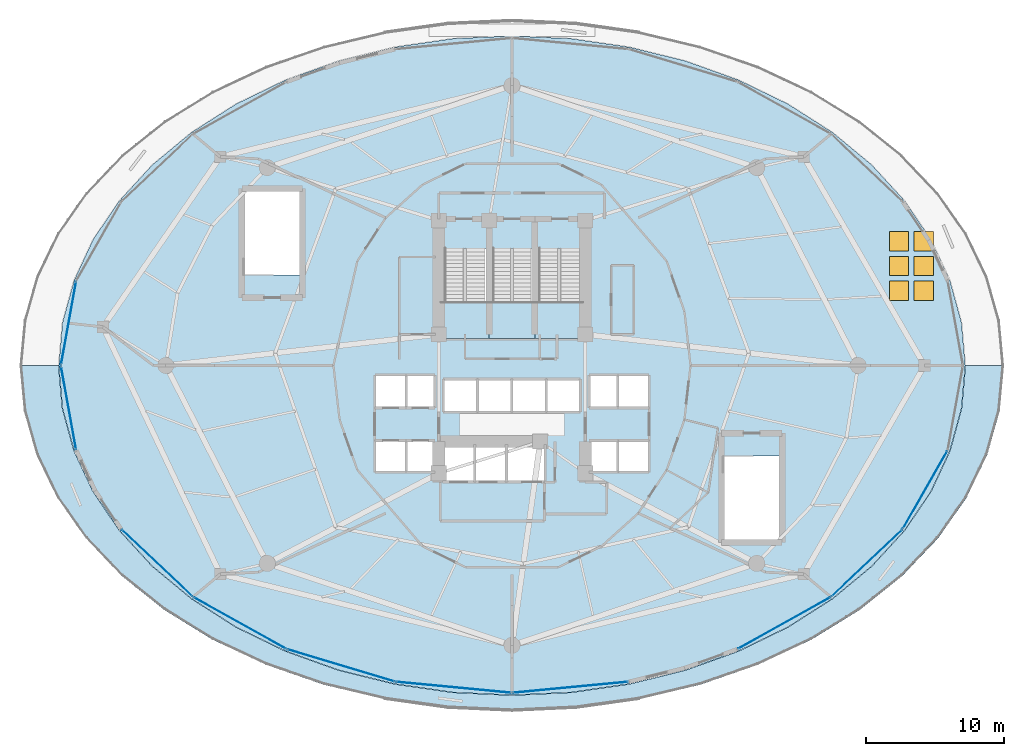
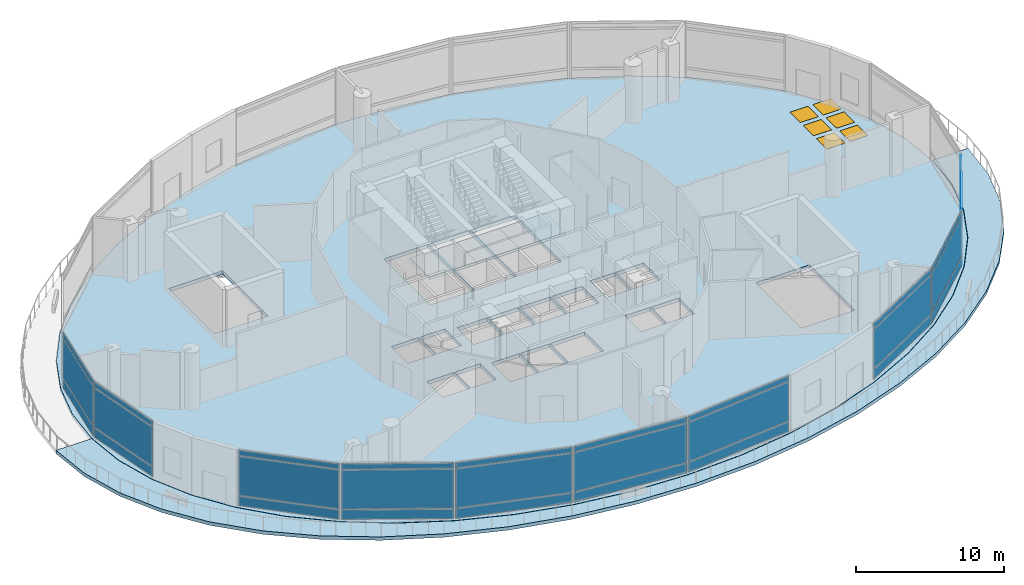
# One storey, part 24 of 34: 30 plates, 6 windows, 5 slabs, 6 openings, 13 elements without a shape of their own.
"""IFC4 building model written with IfcOpenShell, lengths in metres."""

from ifc_helpers import new_model, si_unit, direction, frame, origin, origin_2d, place, context, subcontext, project, spatial, polyline, rectangle, outline, extrude, material, layer, layer_set, type_object, element, fill, aggregate, save


model = new_model("IFC4")

# Units and contexts
model_context = context("Model", 3, precision=1e-05, world=origin(), true_north=direction((0.0, 1.0)))
body_context = subcontext(model_context, "Body", "Model", "MODEL_VIEW")
ifc_project = project(units=[si_unit("LENGTHUNIT", "METRE"), si_unit("AREAUNIT", "SQUARE_METRE"), si_unit("VOLUMEUNIT", "CUBIC_METRE"), si_unit("PLANEANGLEUNIT", "RADIAN"), si_unit("MASSUNIT", "GRAM", prefix="KILO")], contexts=[model_context])

# Site, building, storey
site_placement = place(None, origin())
site = spatial("IfcSite", under=ifc_project, at=site_placement, CompositionType="ELEMENT")
building_placement = place(site_placement, origin())
building = spatial("IfcBuilding", under=site, at=building_placement, Name="Nuhasar Tower", CompositionType="ELEMENT")
storey_placement = place(building_placement, frame((0.0, 0.0, 16.0)))
storey = spatial("IfcBuildingStorey", under=building, at=storey_placement, Name="L03", CompositionType="ELEMENT", Elevation=16.0)

# Curtain wall, plates
ifc_material_1 = material(Name="Aluminium 6063-T6", Category="aluminium")
ifc_layer_1 = layer(ifc_material_1, 0.219970703125)
ifc_layer_set_1 = layer_set([ifc_layer_1], Name="Aluminium 6063-T6")
curtain_wall_type = type_object("IfcCurtainWallType", Name="CW-PODIUM", PredefinedType="NOTDEFINED", material=ifc_layer_set_1)
curtain_wall_1_placement = place(storey_placement, origin())
curtain_wall_1 = element("IfcCurtainWall", 1, at=curtain_wall_1_placement, inside=storey, type_object=curtain_wall_type, Name="L03 Podium Curtain Wall Bay 12", PredefinedType="NOTDEFINED")
ifc_material_2 = material(Name="Glass Double Low-E", Category="glass")
ifc_layer_2 = layer(ifc_material_2, 0.028076171875)
ifc_layer_set_2 = layer_set([ifc_layer_2], Name="Glass Double Low-E")
plate_type_1 = type_object("IfcPlateType", Name="CW-PANEL-GLZ", PredefinedType="CURTAIN_PANEL", material=ifc_layer_set_2)
plate_1_placement = place(storey_placement, frame((6.916015625, 29.865478515625, 0.9375), z_axis=(0.0, 0.0, 1.0), x_axis=(-0.178461735474, -0.983946852717, 0.0)))
plate_1 = element("IfcPlate", 2, at=plate_1_placement, type_object=plate_type_1, Name="CW-P1 panel 1.2", PredefinedType="CURTAIN_PANEL", context=body_context, shape_type="SweptSolid", body=[
    extrude(rectangle(XDim=6.0810546875, YDim=0.028076171875, at=origin_2d()), origin(), (0.0, 0.0, 1.0), 3.215087890625),
])
plate_2_placement = place(storey_placement, frame((6.916015625, 29.865478515625, 4.2275390625), z_axis=(0.0, 0.0, 1.0), x_axis=(-0.178461735474, -0.983946852717, 0.0)))
plate_2 = element("IfcPlate", 3, at=plate_2_placement, type_object=plate_type_1, Name="CW-P1 panel 1.3", PredefinedType="CURTAIN_PANEL", context=body_context, shape_type="SweptSolid", body=[
    extrude(rectangle(XDim=6.0810546875, YDim=0.028076171875, at=origin_2d()), origin(), (0.0, 0.0, 1.0), 0.4375),
])

curtain_wall_2_placement = place(storey_placement, origin())
curtain_wall_2 = element("IfcCurtainWall", 4, at=curtain_wall_2_placement, inside=storey, type_object=curtain_wall_type, Name="L03 Podium Curtain Wall Bay 13", PredefinedType="NOTDEFINED")
plate_3_placement = place(storey_placement, frame((6.916015625, 23.734619140625, 0.9375), z_axis=(0.0, 0.0, 1.0), x_axis=(0.178461735474, -0.983946852717, 0.0)))
plate_3 = element("IfcPlate", 5, at=plate_3_placement, type_object=plate_type_1, Name="CW-P1 panel 1.2", PredefinedType="CURTAIN_PANEL", context=body_context, shape_type="SweptSolid", body=[
    extrude(rectangle(XDim=6.0810546875, YDim=0.028076171875, at=origin_2d()), origin(), (0.0, 0.0, 1.0), 3.215087890625),
])
plate_4_placement = place(storey_placement, frame((6.916015625, 23.734619140625, 4.2275390625), z_axis=(0.0, 0.0, 1.0), x_axis=(0.178461735474, -0.983946852717, 0.0)))
plate_4 = element("IfcPlate", 6, at=plate_4_placement, type_object=plate_type_1, Name="CW-P1 panel 1.3", PredefinedType="CURTAIN_PANEL", context=body_context, shape_type="SweptSolid", body=[
    extrude(rectangle(XDim=6.0810546875, YDim=0.028076171875, at=origin_2d()), origin(), (0.0, 0.0, 1.0), 0.4375),
])

curtain_wall_3_placement = place(storey_placement, origin())
curtain_wall_3 = element("IfcCurtainWall", 7, at=curtain_wall_3_placement, inside=storey, type_object=curtain_wall_type, Name="L03 Podium Curtain Wall Bay 15", PredefinedType="NOTDEFINED")
plate_5_placement = place(storey_placement, frame((13.326416015625, 12.501953125, 0.9375), z_axis=(0.0, 0.0, 1.0), x_axis=(0.726511881777, -0.687153902439, 0.0)))
plate_5 = element("IfcPlate", 8, at=plate_5_placement, type_object=plate_type_1, Name="CW-P1 panel 1.2", PredefinedType="CURTAIN_PANEL", context=body_context, shape_type="SweptSolid", body=[
    extrude(rectangle(XDim=6.989501953125, YDim=0.028076171875, at=origin_2d()), origin(), (0.0, 0.0, 1.0), 3.215087890625),
])
plate_6_placement = place(storey_placement, frame((13.326416015625, 12.501953125, 4.2275390625), z_axis=(0.0, 0.0, 1.0), x_axis=(0.726511881777, -0.687153902439, 0.0)))
plate_6 = element("IfcPlate", 9, at=plate_6_placement, type_object=plate_type_1, Name="CW-P1 panel 1.3", PredefinedType="CURTAIN_PANEL", context=body_context, shape_type="SweptSolid", body=[
    extrude(rectangle(XDim=6.989501953125, YDim=0.028076171875, at=origin_2d()), origin(), (0.0, 0.0, 1.0), 0.4375),
])

curtain_wall_4_placement = place(storey_placement, origin())
curtain_wall_4 = element("IfcCurtainWall", 10, at=curtain_wall_4_placement, inside=storey, type_object=curtain_wall_type, Name="L03 Podium Curtain Wall Bay 16", PredefinedType="NOTDEFINED")
plate_7_placement = place(storey_placement, frame((19.300048828125, 8.16650390625, 0.9375), z_axis=(0.0, 0.0, 1.0), x_axis=(0.873638613406, -0.486575351992, 0.0)))
plate_7 = element("IfcPlate", 11, at=plate_7_placement, type_object=plate_type_1, Name="CW-P1 panel 1.2", PredefinedType="CURTAIN_PANEL", context=body_context, shape_type="SweptSolid", body=[
    extrude(rectangle(XDim=7.587646484375, YDim=0.028076171875, at=origin_2d()), origin(), (0.0, 0.0, 1.0), 3.215087890625),
])
plate_8_placement = place(storey_placement, frame((19.300048828125, 8.16650390625, 4.2275390625), z_axis=(0.0, 0.0, 1.0), x_axis=(0.873638613406, -0.486575351992, 0.0)))
plate_8 = element("IfcPlate", 12, at=plate_8_placement, type_object=plate_type_1, Name="CW-P1 panel 1.3", PredefinedType="CURTAIN_PANEL", context=body_context, shape_type="SweptSolid", body=[
    extrude(rectangle(XDim=7.587646484375, YDim=0.028076171875, at=origin_2d()), origin(), (0.0, 0.0, 1.0), 0.4375),
])

curtain_wall_5_placement = place(storey_placement, origin())
curtain_wall_5 = element("IfcCurtainWall", 13, at=curtain_wall_5_placement, inside=storey, type_object=curtain_wall_type, Name="L03 Podium Curtain Wall Bay 17", PredefinedType="NOTDEFINED")
plate_9_placement = place(storey_placement, frame((26.615966796875, 5.1005859375, 0.9375), z_axis=(0.0, 0.0, 1.0), x_axis=(0.957645291583, -0.287950508783, 0.0)))
plate_9 = element("IfcPlate", 14, at=plate_9_placement, type_object=plate_type_1, Name="CW-P1 panel 1.2", PredefinedType="CURTAIN_PANEL", context=body_context, shape_type="SweptSolid", body=[
    extrude(rectangle(XDim=8.070068359375, YDim=0.028076171875, at=origin_2d()), origin(), (0.0, 0.0, 1.0), 3.215087890625),
])
plate_10_placement = place(storey_placement, frame((26.615966796875, 5.1005859375, 4.2275390625), z_axis=(0.0, 0.0, 1.0), x_axis=(0.957645291583, -0.287950508783, 0.0)))
plate_10 = element("IfcPlate", 15, at=plate_10_placement, type_object=plate_type_1, Name="CW-P1 panel 1.3", PredefinedType="CURTAIN_PANEL", context=body_context, shape_type="SweptSolid", body=[
    extrude(rectangle(XDim=8.070068359375, YDim=0.028076171875, at=origin_2d()), origin(), (0.0, 0.0, 1.0), 0.4375),
])

curtain_wall_6_placement = place(storey_placement, origin())
curtain_wall_6 = element("IfcCurtainWall", 16, at=curtain_wall_6_placement, inside=storey, type_object=curtain_wall_type, Name="L03 Podium Curtain Wall Bay 18", PredefinedType="NOTDEFINED")
plate_11_placement = place(storey_placement, frame((34.77587890625, 3.513427734375, 0.9375), z_axis=(0.0, 0.0, 1.0), x_axis=(0.995468422873, -0.095092686697, 0.0)))
plate_11 = element("IfcPlate", 17, at=plate_11_placement, type_object=plate_type_1, Name="CW-P1 panel 1.2", PredefinedType="CURTAIN_PANEL", context=body_context, shape_type="SweptSolid", body=[
    extrude(rectangle(XDim=8.33642578125, YDim=0.028076171875, at=origin_2d()), origin(), (0.0, 0.0, 1.0), 3.215087890625),
])
plate_12_placement = place(storey_placement, frame((34.77587890625, 3.513427734375, 4.2275390625), z_axis=(0.0, 0.0, 1.0), x_axis=(0.995468422873, -0.095092686697, 0.0)))
plate_12 = element("IfcPlate", 18, at=plate_12_placement, type_object=plate_type_1, Name="CW-P1 panel 1.3", PredefinedType="CURTAIN_PANEL", context=body_context, shape_type="SweptSolid", body=[
    extrude(rectangle(XDim=8.33642578125, YDim=0.028076171875, at=origin_2d()), origin(), (0.0, 0.0, 1.0), 0.4375),
])

curtain_wall_7_placement = place(storey_placement, origin())
curtain_wall_7 = element("IfcCurtainWall", 19, at=curtain_wall_7_placement, inside=storey, type_object=curtain_wall_type, Name="L03 Podium Curtain Wall Bay 19", PredefinedType="NOTDEFINED")
plate_13_placement = place(storey_placement, frame((43.22412109375, 3.513427734375, 0.9375), z_axis=(0.0, 0.0, 1.0), x_axis=(0.995468422873, 0.095092686697, 0.0)))
plate_13 = element("IfcPlate", 20, at=plate_13_placement, type_object=plate_type_1, Name="CW-P1 panel 1.2", PredefinedType="CURTAIN_PANEL", context=body_context, shape_type="SweptSolid", body=[
    extrude(rectangle(XDim=8.33642578125, YDim=0.028076171875, at=origin_2d()), origin(), (0.0, 0.0, 1.0), 3.215087890625),
])
plate_14_placement = place(storey_placement, frame((43.22412109375, 3.513427734375, 4.2275390625), z_axis=(0.0, 0.0, 1.0), x_axis=(0.995468422873, 0.095092686697, 0.0)))
plate_14 = element("IfcPlate", 21, at=plate_14_placement, type_object=plate_type_1, Name="CW-P1 panel 1.3", PredefinedType="CURTAIN_PANEL", context=body_context, shape_type="SweptSolid", body=[
    extrude(rectangle(XDim=8.33642578125, YDim=0.028076171875, at=origin_2d()), origin(), (0.0, 0.0, 1.0), 0.4375),
])

curtain_wall_8_placement = place(storey_placement, origin())
curtain_wall_8 = element("IfcCurtainWall", 22, at=curtain_wall_8_placement, inside=storey, type_object=curtain_wall_type, Name="L03 Podium Curtain Wall Bay 21", PredefinedType="NOTDEFINED")
plate_15_placement = place(storey_placement, frame((58.699951171875, 8.16650390625, 0.9375), z_axis=(0.0, 0.0, 1.0), x_axis=(0.873638613406, 0.486575351992, 0.0)))
plate_15 = element("IfcPlate", 23, at=plate_15_placement, type_object=plate_type_1, Name="CW-P1 panel 1.2", PredefinedType="CURTAIN_PANEL", context=body_context, shape_type="SweptSolid", body=[
    extrude(rectangle(XDim=7.587646484375, YDim=0.028076171875, at=origin_2d()), origin(), (0.0, 0.0, 1.0), 3.215087890625),
])
plate_16_placement = place(storey_placement, frame((58.699951171875, 8.16650390625, 4.2275390625), z_axis=(0.0, 0.0, 1.0), x_axis=(0.873638613406, 0.486575351992, 0.0)))
plate_16 = element("IfcPlate", 24, at=plate_16_placement, type_object=plate_type_1, Name="CW-P1 panel 1.3", PredefinedType="CURTAIN_PANEL", context=body_context, shape_type="SweptSolid", body=[
    extrude(rectangle(XDim=7.587646484375, YDim=0.028076171875, at=origin_2d()), origin(), (0.0, 0.0, 1.0), 0.4375),
])

curtain_wall_9_placement = place(storey_placement, origin())
curtain_wall_9 = element("IfcCurtainWall", 25, at=curtain_wall_9_placement, inside=storey, type_object=curtain_wall_type, Name="L03 Podium Curtain Wall Bay 22", PredefinedType="NOTDEFINED")
plate_17_placement = place(storey_placement, frame((64.673583984375, 12.501953125, 0.9375), z_axis=(0.0, 0.0, 1.0), x_axis=(0.726511881777, 0.687153902439, 0.0)))
plate_17 = element("IfcPlate", 26, at=plate_17_placement, type_object=plate_type_1, Name="CW-P1 panel 1.2", PredefinedType="CURTAIN_PANEL", context=body_context, shape_type="SweptSolid", body=[
    extrude(rectangle(XDim=6.989501953125, YDim=0.028076171875, at=origin_2d()), origin(), (0.0, 0.0, 1.0), 3.215087890625),
])
plate_18_placement = place(storey_placement, frame((64.673583984375, 12.501953125, 4.2275390625), z_axis=(0.0, 0.0, 1.0), x_axis=(0.726511881777, 0.687153902439, 0.0)))
plate_18 = element("IfcPlate", 27, at=plate_18_placement, type_object=plate_type_1, Name="CW-P1 panel 1.3", PredefinedType="CURTAIN_PANEL", context=body_context, shape_type="SweptSolid", body=[
    extrude(rectangle(XDim=6.989501953125, YDim=0.028076171875, at=origin_2d()), origin(), (0.0, 0.0, 1.0), 0.4375),
])

curtain_wall_10_placement = place(storey_placement, origin())
curtain_wall_10 = element("IfcCurtainWall", 28, at=curtain_wall_10_placement, inside=storey, type_object=curtain_wall_type, Name="L03 Podium Curtain Wall Bay 23", PredefinedType="NOTDEFINED")
plate_19_placement = place(storey_placement, frame((68.8974609375, 17.81201171875, 0.9375), z_axis=(0.0, 0.0, 1.0), x_axis=(0.495664164011, 0.86851426961, 0.0)))
plate_19 = element("IfcPlate", 29, at=plate_19_placement, type_object=plate_type_1, Name="CW-P1 panel 1.2", PredefinedType="CURTAIN_PANEL", context=body_context, shape_type="SweptSolid", body=[
    extrude(rectangle(XDim=6.428955078125, YDim=0.028076171875, at=origin_2d()), origin(), (0.0, 0.0, 1.0), 3.215087890625),
])
plate_20_placement = place(storey_placement, frame((68.8974609375, 17.81201171875, 4.2275390625), z_axis=(0.0, 0.0, 1.0), x_axis=(0.495664164011, 0.86851426961, 0.0)))
plate_20 = element("IfcPlate", 30, at=plate_20_placement, type_object=plate_type_1, Name="CW-P1 panel 1.3", PredefinedType="CURTAIN_PANEL", context=body_context, shape_type="SweptSolid", body=[
    extrude(rectangle(XDim=6.428955078125, YDim=0.028076171875, at=origin_2d()), origin(), (0.0, 0.0, 1.0), 0.4375),
])

# Plate
ifc_material_3 = material(Name="Glass Spandrel", Category="glass")
ifc_layer_3 = layer(ifc_material_3, 0.035888671875)
ifc_layer_set_3 = layer_set([ifc_layer_3], Name="Glass Spandrel")
plate_type_2 = type_object("IfcPlateType", Name="CW-PANEL-SPN", PredefinedType="CURTAIN_PANEL", material=ifc_layer_set_3)
plate_21_placement = place(storey_placement, frame((6.916015625, 29.865478515625, 0.074951171875), z_axis=(0.0, 0.0, 1.0), x_axis=(-0.178461735474, -0.983946852717, 0.0)))
plate_21 = element("IfcPlate", 31, at=plate_21_placement, type_object=plate_type_2, Name="CW-P1 panel 1.1", PredefinedType="CURTAIN_PANEL", context=body_context, shape_type="SweptSolid", body=[
    extrude(rectangle(XDim=6.0810546875, YDim=0.035888671875, at=origin_2d()), origin(), (0.0, 0.0, 1.0), 0.78759765625),
])

aggregate(curtain_wall_1, [plate_21, plate_1, plate_2])

plate_22_placement = place(storey_placement, frame((6.916015625, 23.734619140625, 0.074951171875), z_axis=(0.0, 0.0, 1.0), x_axis=(0.178461735474, -0.983946852717, 0.0)))
plate_22 = element("IfcPlate", 32, at=plate_22_placement, type_object=plate_type_2, Name="CW-P1 panel 1.1", PredefinedType="CURTAIN_PANEL", context=body_context, shape_type="SweptSolid", body=[
    extrude(rectangle(XDim=6.0810546875, YDim=0.035888671875, at=origin_2d()), origin(), (0.0, 0.0, 1.0), 0.78759765625),
])

aggregate(curtain_wall_2, [plate_22, plate_3, plate_4])

plate_23_placement = place(storey_placement, frame((13.326416015625, 12.501953125, 0.074951171875), z_axis=(0.0, 0.0, 1.0), x_axis=(0.726511881777, -0.687153902439, 0.0)))
plate_23 = element("IfcPlate", 33, at=plate_23_placement, type_object=plate_type_2, Name="CW-P1 panel 1.1", PredefinedType="CURTAIN_PANEL", context=body_context, shape_type="SweptSolid", body=[
    extrude(rectangle(XDim=6.989501953125, YDim=0.035888671875, at=origin_2d()), origin(), (0.0, 0.0, 1.0), 0.78759765625),
])

aggregate(curtain_wall_3, [plate_23, plate_5, plate_6])

plate_24_placement = place(storey_placement, frame((19.300048828125, 8.16650390625, 0.074951171875), z_axis=(0.0, 0.0, 1.0), x_axis=(0.873638613406, -0.486575351992, 0.0)))
plate_24 = element("IfcPlate", 34, at=plate_24_placement, type_object=plate_type_2, Name="CW-P1 panel 1.1", PredefinedType="CURTAIN_PANEL", context=body_context, shape_type="SweptSolid", body=[
    extrude(rectangle(XDim=7.587646484375, YDim=0.035888671875, at=origin_2d()), origin(), (0.0, 0.0, 1.0), 0.78759765625),
])

aggregate(curtain_wall_4, [plate_24, plate_7, plate_8])

plate_25_placement = place(storey_placement, frame((26.615966796875, 5.1005859375, 0.074951171875), z_axis=(0.0, 0.0, 1.0), x_axis=(0.957645291583, -0.287950508783, 0.0)))
plate_25 = element("IfcPlate", 35, at=plate_25_placement, type_object=plate_type_2, Name="CW-P1 panel 1.1", PredefinedType="CURTAIN_PANEL", context=body_context, shape_type="SweptSolid", body=[
    extrude(rectangle(XDim=8.070068359375, YDim=0.035888671875, at=origin_2d()), origin(), (0.0, 0.0, 1.0), 0.78759765625),
])

aggregate(curtain_wall_5, [plate_25, plate_9, plate_10])

plate_26_placement = place(storey_placement, frame((34.77587890625, 3.513427734375, 0.074951171875), z_axis=(0.0, 0.0, 1.0), x_axis=(0.995468422873, -0.095092686697, 0.0)))
plate_26 = element("IfcPlate", 36, at=plate_26_placement, type_object=plate_type_2, Name="CW-P1 panel 1.1", PredefinedType="CURTAIN_PANEL", context=body_context, shape_type="SweptSolid", body=[
    extrude(rectangle(XDim=8.33642578125, YDim=0.035888671875, at=origin_2d()), origin(), (0.0, 0.0, 1.0), 0.78759765625),
])

aggregate(curtain_wall_6, [plate_26, plate_11, plate_12])

plate_27_placement = place(storey_placement, frame((43.22412109375, 3.513427734375, 0.074951171875), z_axis=(0.0, 0.0, 1.0), x_axis=(0.995468422873, 0.095092686697, 0.0)))
plate_27 = element("IfcPlate", 37, at=plate_27_placement, type_object=plate_type_2, Name="CW-P1 panel 1.1", PredefinedType="CURTAIN_PANEL", context=body_context, shape_type="SweptSolid", body=[
    extrude(rectangle(XDim=8.33642578125, YDim=0.035888671875, at=origin_2d()), origin(), (0.0, 0.0, 1.0), 0.78759765625),
])

aggregate(curtain_wall_7, [plate_27, plate_13, plate_14])

plate_28_placement = place(storey_placement, frame((58.699951171875, 8.16650390625, 0.074951171875), z_axis=(0.0, 0.0, 1.0), x_axis=(0.873638613406, 0.486575351992, 0.0)))
plate_28 = element("IfcPlate", 38, at=plate_28_placement, type_object=plate_type_2, Name="CW-P1 panel 1.1", PredefinedType="CURTAIN_PANEL", context=body_context, shape_type="SweptSolid", body=[
    extrude(rectangle(XDim=7.587646484375, YDim=0.035888671875, at=origin_2d()), origin(), (0.0, 0.0, 1.0), 0.78759765625),
])

aggregate(curtain_wall_8, [plate_28, plate_15, plate_16])

plate_29_placement = place(storey_placement, frame((64.673583984375, 12.501953125, 0.074951171875), z_axis=(0.0, 0.0, 1.0), x_axis=(0.726511881777, 0.687153902439, 0.0)))
plate_29 = element("IfcPlate", 39, at=plate_29_placement, type_object=plate_type_2, Name="CW-P1 panel 1.1", PredefinedType="CURTAIN_PANEL", context=body_context, shape_type="SweptSolid", body=[
    extrude(rectangle(XDim=6.989501953125, YDim=0.035888671875, at=origin_2d()), origin(), (0.0, 0.0, 1.0), 0.78759765625),
])

aggregate(curtain_wall_9, [plate_29, plate_17, plate_18])

plate_30_placement = place(storey_placement, frame((68.8974609375, 17.81201171875, 0.074951171875), z_axis=(0.0, 0.0, 1.0), x_axis=(0.495664164011, 0.86851426961, 0.0)))
plate_30 = element("IfcPlate", 40, at=plate_30_placement, type_object=plate_type_2, Name="CW-P1 panel 1.1", PredefinedType="CURTAIN_PANEL", context=body_context, shape_type="SweptSolid", body=[
    extrude(rectangle(XDim=6.428955078125, YDim=0.035888671875, at=origin_2d()), origin(), (0.0, 0.0, 1.0), 0.78759765625),
])

aggregate(curtain_wall_10, [plate_30, plate_19, plate_20])

# Slab, openings, windows
ifc_material_4 = material(Name="Concrete C50/60", Category="concrete")
ifc_layer_4 = layer(ifc_material_4, 0.300048828125)
ifc_layer_set_4 = layer_set([ifc_layer_4], Name="Concrete C50/60")
slab_type_1 = type_object("IfcSlabType", Name="SLB-POD-300", PredefinedType="FLOOR", material=ifc_layer_set_4)
slab_1_placement = place(storey_placement, frame((0.0, 0.0, -0.300048828125)))
slab_1 = element("IfcSlab", 41, at=slab_1_placement, inside=storey, type_object=slab_type_1, Name="L03 Structural Slab", PredefinedType="FLOOR", context=body_context, shape_type="SweptSolid", body=[
    extrude(outline(polyline([(71.800048828125, 26.800048828125), (71.51904296875, 29.9130859375), (70.681884765625, 32.972900390625), (69.302978515625, 35.927001953125), (67.406005859375, 38.72509765625), (65.02197265625, 41.319091796875), (62.193115234375, 43.6640625), (58.967041015625, 45.720947265625), (55.39990234375, 47.455078125), (51.552001953125, 48.8349609375), (47.489013671875, 49.8369140625), (43.281005859375, 50.446044921875), (39.0, 50.64990234375), (34.718994140625, 50.446044921875), (30.510986328125, 49.8369140625), (26.447998046875, 48.8349609375), (22.60009765625, 47.455078125), (19.032958984375, 45.720947265625), (15.806884765625, 43.6640625), (12.97802734375, 41.319091796875), (10.593994140625, 38.72509765625), (8.697021484375, 35.927001953125), (7.318115234375, 32.972900390625), (6.48095703125, 29.9130859375), (6.199951171875, 26.800048828125), (6.48095703125, 23.68701171875), (7.318115234375, 20.626953125), (8.697021484375, 17.673095703125), (10.593994140625, 14.875), (12.97802734375, 12.281005859375), (15.806884765625, 9.93603515625), (19.032958984375, 7.87890625), (22.60009765625, 6.14501953125), (26.447998046875, 4.764892578125), (30.510986328125, 3.762939453125), (34.718994140625, 3.154052734375), (39.0, 2.949951171875), (43.281005859375, 3.154052734375), (47.489013671875, 3.762939453125), (51.552001953125, 4.764892578125), (55.39990234375, 6.14501953125), (58.967041015625, 7.87890625), (62.193115234375, 9.93603515625), (65.02197265625, 12.281005859375), (67.406005859375, 14.875), (69.302978515625, 17.673095703125), (70.681884765625, 20.626953125), (71.51904296875, 23.68701171875), (71.800048828125, 26.800048828125)]), holes=[polyline([(33.8798828125, 35.25), (37.300048828125, 35.25), (37.300048828125, 29.0), (33.8798828125, 29.0), (33.8798828125, 35.25)]), polyline([(37.39990234375, 35.25), (40.60009765625, 35.25), (40.60009765625, 29.0), (37.39990234375, 29.0), (37.39990234375, 35.25)]), polyline([(40.699951171875, 35.25), (44.1201171875, 35.25), (44.1201171875, 29.0), (40.699951171875, 29.0), (40.699951171875, 35.25)]), polyline([(19.550048828125, 39.5), (23.75, 39.5), (23.75, 33.35009765625), (19.550048828125, 33.35009765625), (19.550048828125, 39.5)]), polyline([(54.25, 20.25), (58.449951171875, 20.25), (58.449951171875, 14.10009765625), (54.25, 14.10009765625), (54.25, 20.25)]), polyline([(29.14990234375, 26.050048828125), (31.300048828125, 26.050048828125), (31.300048828125, 23.800048828125), (29.14990234375, 23.800048828125), (29.14990234375, 26.050048828125)]), polyline([(31.39990234375, 26.050048828125), (33.35009765625, 26.050048828125), (33.35009765625, 23.800048828125), (31.39990234375, 23.800048828125), (31.39990234375, 26.050048828125)]), polyline([(29.14990234375, 21.300048828125), (31.300048828125, 21.300048828125), (31.300048828125, 19.14990234375), (29.14990234375, 19.14990234375), (29.14990234375, 21.300048828125)]), polyline([(31.39990234375, 21.300048828125), (33.35009765625, 21.300048828125), (33.35009765625, 19.14990234375), (31.39990234375, 19.14990234375), (31.39990234375, 21.300048828125)]), polyline([(44.64990234375, 26.050048828125), (46.60009765625, 26.050048828125), (46.60009765625, 23.800048828125), (44.64990234375, 23.800048828125), (44.64990234375, 26.050048828125)]), polyline([(46.699951171875, 26.050048828125), (48.85009765625, 26.050048828125), (48.85009765625, 23.800048828125), (46.699951171875, 23.800048828125), (46.699951171875, 26.050048828125)]), polyline([(44.64990234375, 21.300048828125), (46.60009765625, 21.300048828125), (46.60009765625, 19.14990234375), (44.64990234375, 19.14990234375), (44.64990234375, 21.300048828125)]), polyline([(46.699951171875, 21.300048828125), (48.85009765625, 21.300048828125), (48.85009765625, 19.14990234375), (46.699951171875, 19.14990234375), (46.699951171875, 21.300048828125)]), polyline([(34.10009765625, 25.75), (36.43994140625, 25.75), (36.43994140625, 23.5), (34.10009765625, 23.5), (34.10009765625, 25.75)]), polyline([(36.580078125, 25.75), (38.919921875, 25.75), (38.919921875, 23.5), (36.580078125, 23.5), (36.580078125, 25.75)]), polyline([(39.06005859375, 25.75), (41.39990234375, 25.75), (41.39990234375, 23.5), (39.06005859375, 23.5), (39.06005859375, 25.75)]), polyline([(41.5400390625, 25.75), (43.8798828125, 25.75), (43.8798828125, 23.5), (41.5400390625, 23.5), (41.5400390625, 25.75)]), polyline([(34.050048828125, 21.0), (36.25, 21.0), (36.25, 18.449951171875), (34.050048828125, 18.449951171875), (34.050048828125, 21.0)]), polyline([(36.35009765625, 21.0), (38.550048828125, 21.0), (38.550048828125, 18.449951171875), (36.35009765625, 18.449951171875), (36.35009765625, 21.0)]), polyline([(38.64990234375, 21.0), (41.320068359375, 21.0), (41.320068359375, 18.449951171875), (38.64990234375, 18.449951171875), (38.64990234375, 21.0)])]), origin(), (0.0, 0.0, 1.0), 0.300048828125),
])
opening_1_placement = place(slab_1_placement, frame((67.0, 32.199951171875, 0.0)))
opening_1 = element("IfcOpeningElement", 42, at=opening_1_placement, cuts=slab_1, Name="Opening SK-01", PredefinedType="OPENING", context=body_context, shape_type="SweptSolid", body=[
    extrude(rectangle(XDim=1.39990234375, YDim=1.39990234375, at=origin_2d()), origin(), (0.0, 0.0, 1.0), 0.300048828125),
])
opening_2_placement = place(slab_1_placement, frame((68.800048828125, 32.199951171875, 0.0)))
opening_2 = element("IfcOpeningElement", 43, at=opening_2_placement, cuts=slab_1, Name="Opening SK-01", PredefinedType="OPENING", context=body_context, shape_type="SweptSolid", body=[
    extrude(rectangle(XDim=1.39990234375, YDim=1.39990234375, at=origin_2d()), origin(), (0.0, 0.0, 1.0), 0.300048828125),
])
opening_3_placement = place(slab_1_placement, frame((67.0, 34.0, 0.0)))
opening_3 = element("IfcOpeningElement", 44, at=opening_3_placement, cuts=slab_1, Name="Opening SK-01", PredefinedType="OPENING", context=body_context, shape_type="SweptSolid", body=[
    extrude(rectangle(XDim=1.39990234375, YDim=1.39990234375, at=origin_2d()), origin(), (0.0, 0.0, 1.0), 0.300048828125),
])
opening_4_placement = place(slab_1_placement, frame((68.800048828125, 34.0, 0.0)))
opening_4 = element("IfcOpeningElement", 45, at=opening_4_placement, cuts=slab_1, Name="Opening SK-01", PredefinedType="OPENING", context=body_context, shape_type="SweptSolid", body=[
    extrude(rectangle(XDim=1.39990234375, YDim=1.39990234375, at=origin_2d()), origin(), (0.0, 0.0, 1.0), 0.300048828125),
])
opening_5_placement = place(slab_1_placement, frame((67.0, 35.800048828125, 0.0)))
opening_5 = element("IfcOpeningElement", 46, at=opening_5_placement, cuts=slab_1, Name="Opening SK-01", PredefinedType="OPENING", context=body_context, shape_type="SweptSolid", body=[
    extrude(rectangle(XDim=1.39990234375, YDim=1.39990234375, at=origin_2d()), origin(), (0.0, 0.0, 1.0), 0.300048828125),
])
opening_6_placement = place(slab_1_placement, frame((68.800048828125, 35.800048828125, 0.0)))
opening_6 = element("IfcOpeningElement", 47, at=opening_6_placement, cuts=slab_1, Name="Opening SK-01", PredefinedType="OPENING", context=body_context, shape_type="SweptSolid", body=[
    extrude(rectangle(XDim=1.39990234375, YDim=1.39990234375, at=origin_2d()), origin(), (0.0, 0.0, 1.0), 0.300048828125),
])
window_type = type_object("IfcWindowType", Name="SKY-ATR-1400", PartitioningType="SINGLE_PANEL", PredefinedType="SKYLIGHT", material=ifc_material_2)
window_1_placement = place(opening_1_placement, frame((0.0, 0.0, 0.25)))
window_1 = element("IfcWindow", 48, at=window_1_placement, inside=storey, type_object=window_type, Name="L03 Atrium Daylight Skylight 1-1", OverallHeight=1.39990234375, OverallWidth=1.39990234375, PartitioningType="SINGLE_PANEL", PredefinedType="SKYLIGHT", context=body_context, shape_type="SweptSolid", body=[
    extrude(rectangle(XDim=1.39990234375, YDim=1.39990234375, at=origin_2d()), origin(), (0.0, 0.0, 1.0), 0.050048828125),
])
fill(opening_1, window_1)
window_2_placement = place(opening_2_placement, frame((0.0, 0.0, 0.25)))
window_2 = element("IfcWindow", 49, at=window_2_placement, inside=storey, type_object=window_type, Name="L03 Atrium Daylight Skylight 1-2", OverallHeight=1.39990234375, OverallWidth=1.39990234375, PartitioningType="SINGLE_PANEL", PredefinedType="SKYLIGHT", context=body_context, shape_type="SweptSolid", body=[
    extrude(rectangle(XDim=1.39990234375, YDim=1.39990234375, at=origin_2d()), origin(), (0.0, 0.0, 1.0), 0.050048828125),
])
fill(opening_2, window_2)
window_3_placement = place(opening_3_placement, frame((0.0, 0.0, 0.25)))
window_3 = element("IfcWindow", 50, at=window_3_placement, inside=storey, type_object=window_type, Name="L03 Atrium Daylight Skylight 2-1", OverallHeight=1.39990234375, OverallWidth=1.39990234375, PartitioningType="SINGLE_PANEL", PredefinedType="SKYLIGHT", context=body_context, shape_type="SweptSolid", body=[
    extrude(rectangle(XDim=1.39990234375, YDim=1.39990234375, at=origin_2d()), origin(), (0.0, 0.0, 1.0), 0.050048828125),
])
fill(opening_3, window_3)
window_4_placement = place(opening_4_placement, frame((0.0, 0.0, 0.25)))
window_4 = element("IfcWindow", 51, at=window_4_placement, inside=storey, type_object=window_type, Name="L03 Atrium Daylight Skylight 2-2", OverallHeight=1.39990234375, OverallWidth=1.39990234375, PartitioningType="SINGLE_PANEL", PredefinedType="SKYLIGHT", context=body_context, shape_type="SweptSolid", body=[
    extrude(rectangle(XDim=1.39990234375, YDim=1.39990234375, at=origin_2d()), origin(), (0.0, 0.0, 1.0), 0.050048828125),
])
fill(opening_4, window_4)
window_5_placement = place(opening_5_placement, frame((0.0, 0.0, 0.25)))
window_5 = element("IfcWindow", 52, at=window_5_placement, inside=storey, type_object=window_type, Name="L03 Atrium Daylight Skylight 3-1", OverallHeight=1.39990234375, OverallWidth=1.39990234375, PartitioningType="SINGLE_PANEL", PredefinedType="SKYLIGHT", context=body_context, shape_type="SweptSolid", body=[
    extrude(rectangle(XDim=1.39990234375, YDim=1.39990234375, at=origin_2d()), origin(), (0.0, 0.0, 1.0), 0.050048828125),
])
fill(opening_5, window_5)
window_6_placement = place(opening_6_placement, frame((0.0, 0.0, 0.25)))
window_6 = element("IfcWindow", 53, at=window_6_placement, inside=storey, type_object=window_type, Name="L03 Atrium Daylight Skylight 3-2", OverallHeight=1.39990234375, OverallWidth=1.39990234375, PartitioningType="SINGLE_PANEL", PredefinedType="SKYLIGHT", context=body_context, shape_type="SweptSolid", body=[
    extrude(rectangle(XDim=1.39990234375, YDim=1.39990234375, at=origin_2d()), origin(), (0.0, 0.0, 1.0), 0.050048828125),
])
fill(opening_6, window_6)

# Stair, slab
ifc_material_5 = material(Name="Concrete C45/55", Category="concrete")
stair_type_1 = type_object("IfcStairType", Name="STR-ST-01-2F-30R-1667", PredefinedType="HALF_TURN_STAIR", material=ifc_material_5)
stair_1_placement = place(storey_placement, origin())
stair_1 = element("IfcStair", 54, at=stair_1_placement, inside=storey, type_object=stair_type_1, Name="L03 Exit Stair ST-01", PredefinedType="HALF_TURN_STAIR")
ifc_layer_5 = layer(ifc_material_5, 0.239990234375)
ifc_layer_set_5 = layer_set([ifc_layer_5], Name="Concrete C45/55")
slab_type_2 = type_object("IfcSlabType", Name="SLB-STAIR-LND-240", PredefinedType="LANDING", material=ifc_layer_set_5)
slab_2_placement = place(storey_placement, frame((0.0, 0.0, 2.260009765625)))
slab_2 = element("IfcSlab", 55, at=slab_2_placement, type_object=slab_type_2, Name="ST-01 landing 1", PredefinedType="LANDING", context=body_context, shape_type="SweptSolid", body=[
    extrude(outline(polyline([(33.699951171875, 28.75), (37.35009765625, 28.75), (37.35009765625, 31.39990234375), (33.699951171875, 31.39990234375), (33.699951171875, 28.75)])), origin(), (0.0, 0.0, 1.0), 0.239990234375),
])
aggregate(stair_1, [slab_2])

stair_type_2 = type_object("IfcStairType", Name="STR-ST-03-2F-30R-1667", PredefinedType="HALF_TURN_STAIR", material=ifc_material_5)
stair_2_placement = place(storey_placement, origin())
stair_2 = element("IfcStair", 56, at=stair_2_placement, inside=storey, type_object=stair_type_2, Name="L03 Exit Stair ST-03", PredefinedType="HALF_TURN_STAIR")
slab_3_placement = place(storey_placement, frame((0.0, 0.0, 2.260009765625)))
slab_3 = element("IfcSlab", 57, at=slab_3_placement, type_object=slab_type_2, Name="ST-03 landing 1", PredefinedType="LANDING", context=body_context, shape_type="SweptSolid", body=[
    extrude(outline(polyline([(37.35009765625, 28.75), (40.64990234375, 28.75), (40.64990234375, 31.39990234375), (37.35009765625, 31.39990234375), (37.35009765625, 28.75)])), origin(), (0.0, 0.0, 1.0), 0.239990234375),
])
aggregate(stair_2, [slab_3])

stair_type_3 = type_object("IfcStairType", Name="STR-ST-02-2F-30R-1667", PredefinedType="HALF_TURN_STAIR", material=ifc_material_5)
stair_3_placement = place(storey_placement, origin())
stair_3 = element("IfcStair", 58, at=stair_3_placement, inside=storey, type_object=stair_type_3, Name="L03 Exit Stair ST-02", PredefinedType="HALF_TURN_STAIR")
slab_4_placement = place(storey_placement, frame((0.0, 0.0, 2.260009765625)))
slab_4 = element("IfcSlab", 59, at=slab_4_placement, type_object=slab_type_2, Name="ST-02 landing 1", PredefinedType="LANDING", context=body_context, shape_type="SweptSolid", body=[
    extrude(outline(polyline([(40.64990234375, 28.75), (44.300048828125, 28.75), (44.300048828125, 31.39990234375), (40.64990234375, 31.39990234375), (40.64990234375, 28.75)])), origin(), (0.0, 0.0, 1.0), 0.239990234375),
])
aggregate(stair_3, [slab_4])

# Slab
ifc_layer_6 = layer(ifc_material_5, 0.280029296875)
ifc_layer_set_6 = layer_set([ifc_layer_6], Name="Concrete C45/55")
slab_type_3 = type_object("IfcSlabType", Name="SLB-TERR-280", PredefinedType="FLOOR", material=ifc_layer_set_6)
slab_5_placement = place(storey_placement, frame((0.0, 0.0, -0.280029296875)))
element("IfcSlab", 60, at=slab_5_placement, inside=storey, type_object=slab_type_3, Name="L03 Cascading Bustan Planted Terrace Slab South", PredefinedType="FLOOR", context=body_context, shape_type="SweptSolid", body=[
    extrude(outline(polyline([(3.39990234375, 26.800048828125), (3.705078125, 23.537109375), (4.613037109375, 20.330078125), (6.110107421875, 17.23291015625), (8.1689453125, 14.300048828125), (10.757080078125, 11.5810546875), (13.826904296875, 9.1220703125), (17.327880859375, 6.966064453125), (21.199951171875, 5.14892578125), (25.3759765625, 3.702880859375), (29.785888671875, 2.652099609375), (34.35302734375, 2.013916015625), (39.0, 1.800048828125), (43.64697265625, 2.013916015625), (48.214111328125, 2.652099609375), (52.6240234375, 3.702880859375), (56.800048828125, 5.14892578125), (60.672119140625, 6.966064453125), (64.173095703125, 9.1220703125), (67.242919921875, 11.5810546875), (69.8310546875, 14.300048828125), (71.889892578125, 17.23291015625), (73.386962890625, 20.330078125), (74.294921875, 23.537109375), (74.60009765625, 26.800048828125), (71.820068359375, 26.800048828125), (71.5390625, 23.68408203125), (70.701904296875, 20.6220703125), (69.322021484375, 17.6650390625), (67.423095703125, 14.864990234375), (65.0380859375, 12.26904296875), (62.20703125, 9.9208984375), (58.97998046875, 7.863037109375), (55.409912109375, 6.1279296875), (51.56005859375, 4.7470703125), (47.493896484375, 3.742919921875), (43.283935546875, 3.134033203125), (39.0, 2.929931640625), (34.716064453125, 3.134033203125), (30.506103515625, 3.742919921875), (26.43994140625, 4.7470703125), (22.590087890625, 6.1279296875), (19.02001953125, 7.863037109375), (15.79296875, 9.9208984375), (12.9619140625, 12.26904296875), (10.576904296875, 14.864990234375), (8.677978515625, 17.6650390625), (7.298095703125, 20.6220703125), (6.4609375, 23.68408203125), (6.179931640625, 26.800048828125), (3.39990234375, 26.800048828125)])), origin(), (0.0, 0.0, 1.0), 0.280029296875),
])

save(model, "model.ifc")
